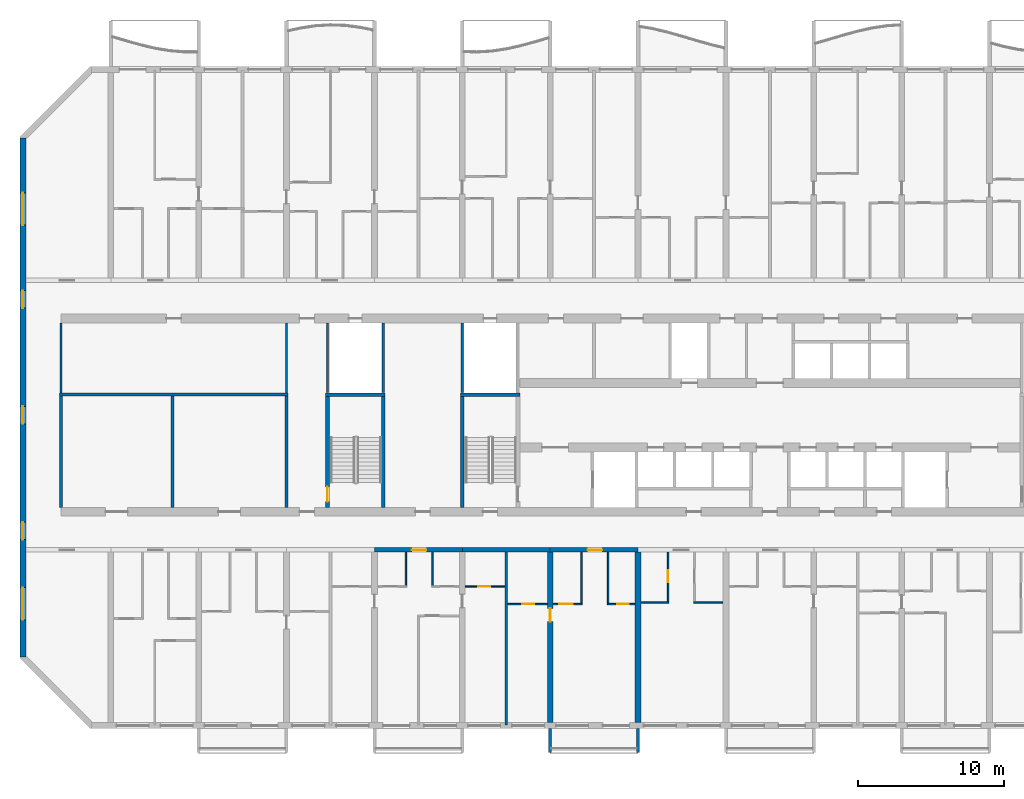
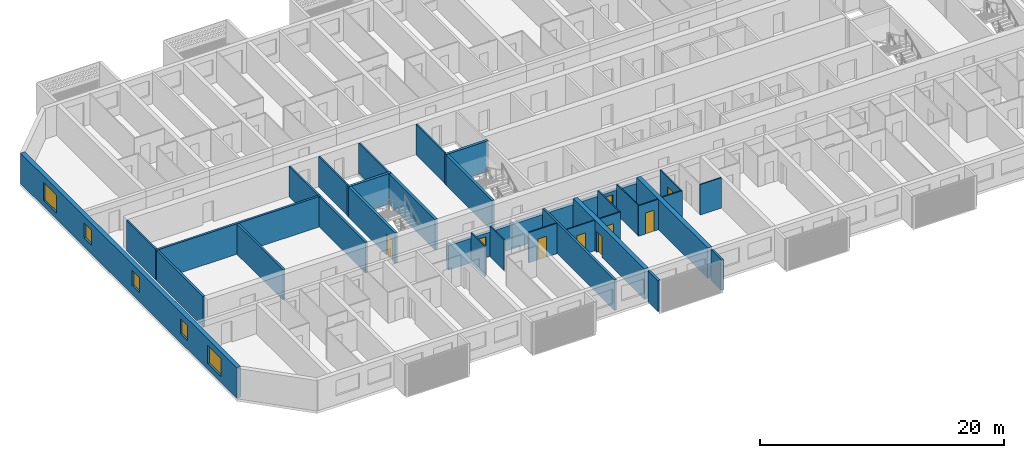
# One storey, part 3 of 38: 34 walls, 9 doors, 5 windows, 14 openings.
"""IFC4 building model written with IfcOpenShell, lengths in metres."""

from ifc_helpers import new_model, si_unit, direction, frame, frame_2d, origin, place, context, subcontext, project, spatial, polyline, rectangle, outline, extrude, source, transform, mapped, material, layer, layer_set, type_object, element, fill, save


model = new_model("IFC4")

# Units and contexts
model_context = context("Model", 3, precision=1e-05, world=origin(), true_north=direction((0.0, 1.0)))
body_context = subcontext(model_context, "Body", "Model", "MODEL_VIEW")
ifc_project = project(units=[si_unit("LENGTHUNIT", "METRE"), si_unit("AREAUNIT", "SQUARE_METRE"), si_unit("VOLUMEUNIT", "CUBIC_METRE"), si_unit("PLANEANGLEUNIT", "RADIAN"), si_unit("MASSUNIT", "GRAM", prefix="KILO")], contexts=[model_context])

# Site, building, storey
site_placement = place(None, origin())
site = spatial("IfcSite", under=ifc_project, at=site_placement, CompositionType="ELEMENT")
building_placement = place(site_placement, origin())
building = spatial("IfcBuilding", under=site, at=building_placement, Name="Poui Terraces", CompositionType="ELEMENT")
storey_placement = place(building_placement, frame((0.0, 0.0, 43.199951171875)))
storey = spatial("IfcBuildingStorey", under=building, at=storey_placement, Name="L11", CompositionType="ELEMENT", Elevation=43.199951171875)

# Walls
ifc_material_1 = material(Name="Fire-rated plasterboard wall")
ifc_layer_1 = layer(ifc_material_1, 0.14990234375)
ifc_layer_set_1 = layer_set([ifc_layer_1], Name="Fire-rated plasterboard wall")
wall_type_1 = type_object("IfcWallType", Name="CORRIDOR WALL 150", PredefinedType="PARTITIONING", material=ifc_layer_set_1)
for number, where, z_axis, x_axis, name in (
    (1, (2.60009765625, 22.699951171875, 0.0), (0.0, 0.0, 1.0), (0.0, 1.0, 0.0), "CORRIDOR WALL 150"),
    (2, (18.0, 22.699951171875, 0.0), (0.0, 0.0, 1.0), (0.0, 1.0, 0.0), "CORRIDOR WALL 150"),
):
    element("IfcWall", number, at=place(storey_placement, frame(where, z_axis=z_axis, x_axis=x_axis)), inside=storey, type_object=wall_type_1, Name=name, PredefinedType="PARTITIONING", context=body_context, shape_type="SweptSolid", body=[
        extrude(rectangle(XDim=4.7900390625, YDim=0.14990234375, at=frame_2d((2.39501953125, 0.0))), origin(), (0.0, 0.0, 1.0), 3.050048828125),
    ])

# Wall, opening, door
ifc_material_2 = material(Name="Concrete 80 MPa", Category="concrete")
ifc_layer_2 = layer(ifc_material_2, 0.300048828125)
ifc_layer_set_2 = layer_set([ifc_layer_2], Name="Concrete 80 MPa")
wall_type_2 = type_object("IfcWallType", Name="CORRIDOR WALL 300 80MPa", PredefinedType="SHEAR", material=ifc_layer_set_2)
wall_1_placement = place(storey_placement, frame((24.0, 12.0, 0.0), z_axis=(0.0, 0.0, 1.0), x_axis=(1.0, 0.0, 0.0)))
wall_1 = element("IfcWall", 3, at=wall_1_placement, inside=storey, type_object=wall_type_2, Name="CORRIDOR WALL LINE B BAY 5", PredefinedType="SHEAR", context=body_context, shape_type="SweptSolid", body=[
    extrude(rectangle(XDim=6.0, YDim=0.300048828125, at=frame_2d((3.0, 0.0))), origin(), (0.0, 0.0, 1.0), 2.449951171875),
])
opening_1_placement = place(wall_1_placement, frame((2.550048828125, 0.0, 0.0)))
opening_1 = element("IfcOpeningElement", 4, at=opening_1_placement, cuts=wall_1, Name="Opening FD30S", PredefinedType="OPENING", context=body_context, shape_type="SweptSolid", body=[
    extrude(rectangle(XDim=1.0, YDim=2.10009765625, at=frame_2d((0.5, 1.050048828125))), frame((0.0, 0.16015625, 0.0), z_axis=(0.0, -1.0, 0.0), x_axis=(1.0, 0.0, 0.0)), (0.0, 0.0, 1.0), 0.320068359375),
])
ifc_material_3 = material(Name="Steel fire door", Category="steel")
door_type_1 = type_object("IfcDoorType", Name="FLAT ENTRANCE DOOR 1000 X 2100", OperationType="NOTDEFINED", PredefinedType="DOOR", material=ifc_material_3)
door_1_placement = place(opening_1_placement, frame((1.0, 0.0, 0.0), z_axis=(0.0, 0.0, 1.0), x_axis=(-1.0, 0.0, 0.0)))
door_1 = element("IfcDoor", 5, at=door_1_placement, inside=storey, type_object=door_type_1, Name="FLAT ENTRANCE DOOR 105", OperationType="SINGLE_SWING_LEFT", OverallHeight=2.10009765625, OverallWidth=1.0, PredefinedType="DOOR", context=body_context, shape_type="SweptSolid", body=[
    extrude(rectangle(XDim=1.0, YDim=2.10009765625, at=frame_2d((0.5, 1.050048828125))), frame((0.0, 0.02490234375, 0.0), z_axis=(0.0, -1.0, 0.0), x_axis=(1.0, 0.0, 0.0)), (0.0, 0.0, 1.0), 0.050048828125),
])
fill(opening_1, door_1)

# Wall
wall_2_placement = place(storey_placement, frame((30.0, 12.0, 0.0), z_axis=(0.0, 0.0, 1.0), x_axis=(1.0, 0.0, 0.0)))
element("IfcWall", 6, at=wall_2_placement, inside=storey, type_object=wall_type_2, Name="CORRIDOR WALL LINE B BAY 6", PredefinedType="SHEAR", context=body_context, shape_type="SweptSolid", body=[
    extrude(rectangle(XDim=6.0, YDim=0.300048828125, at=frame_2d((3.0, 0.0))), origin(), (0.0, 0.0, 1.0), 2.449951171875),
])

# Wall, opening, door
wall_3_placement = place(storey_placement, frame((36.0, 12.0, 0.0), z_axis=(0.0, 0.0, 1.0), x_axis=(1.0, 0.0, 0.0)))
wall_3 = element("IfcWall", 7, at=wall_3_placement, inside=storey, type_object=wall_type_2, Name="CORRIDOR WALL LINE B BAY 7", PredefinedType="SHEAR", context=body_context, shape_type="SweptSolid", body=[
    extrude(rectangle(XDim=6.0, YDim=0.300048828125, at=frame_2d((3.0, 0.0))), origin(), (0.0, 0.0, 1.0), 2.449951171875),
])
opening_2_placement = place(wall_3_placement, frame((2.550048828125, 0.0, 0.0)))
opening_2 = element("IfcOpeningElement", 8, at=opening_2_placement, cuts=wall_3, Name="Opening FD30S", PredefinedType="OPENING", context=body_context, shape_type="SweptSolid", body=[
    extrude(rectangle(XDim=1.0, YDim=2.10009765625, at=frame_2d((0.5, 1.050048828125))), frame((0.0, 0.16015625, 0.0), z_axis=(0.0, -1.0, 0.0), x_axis=(1.0, 0.0, 0.0)), (0.0, 0.0, 1.0), 0.320068359375),
])
door_2_placement = place(opening_2_placement, frame((1.0, 0.0, 0.0), z_axis=(0.0, 0.0, 1.0), x_axis=(-1.0, 0.0, 0.0)))
door_2 = element("IfcDoor", 9, at=door_2_placement, inside=storey, type_object=door_type_1, Name="FLAT ENTRANCE DOOR 112", OperationType="SINGLE_SWING_LEFT", OverallHeight=2.10009765625, OverallWidth=1.0, PredefinedType="DOOR", context=body_context, shape_type="SweptSolid", body=[
    extrude(rectangle(XDim=1.0, YDim=2.10009765625, at=frame_2d((0.5, 1.050048828125))), frame((0.0, 0.02490234375, 0.0), z_axis=(0.0, -1.0, 0.0), x_axis=(1.0, 0.0, 0.0)), (0.0, 0.0, 1.0), 0.050048828125),
])
fill(opening_2, door_2)

ifc_layer_3 = layer(ifc_material_2, 0.39990234375)
ifc_layer_set_3 = layer_set([ifc_layer_3], Name="Concrete 80 MPa")
wall_type_3 = type_object("IfcWallType", Name="CROSS WALL 400 80MPa", PredefinedType="SHEAR", material=ifc_layer_set_3)
wall_4_placement = place(storey_placement, frame((36.0, 0.199951171875, 0.0), z_axis=(0.0, 0.0, 1.0), x_axis=(0.0, 1.0, 0.0)))
wall_4 = element("IfcWall", 10, at=wall_4_placement, inside=storey, type_object=wall_type_3, Name="CROSS WALL LINE 7 SOUTH", PredefinedType="SHEAR", context=body_context, shape_type="SweptSolid", body=[
    extrude(rectangle(XDim=11.650146484375, YDim=0.39990234375, at=frame_2d((5.8251953125, 0.0))), origin(), (0.0, 0.0, 1.0), 3.050048828125),
])
opening_3_placement = place(wall_4_placement, frame((6.89990234375, 0.0, 0.0)))
opening_3 = element("IfcOpeningElement", 11, at=opening_3_placement, cuts=wall_4, Name="Opening D90", PredefinedType="OPENING", context=body_context, shape_type="SweptSolid", body=[
    extrude(rectangle(XDim=0.89990234375, YDim=2.10009765625, at=frame_2d((0.449951171875, 1.050048828125))), frame((0.0, 0.2099609375, 0.0), z_axis=(0.0, -1.0, 0.0), x_axis=(1.0, 0.0, 0.0)), (0.0, 0.0, 1.0), 0.419921875),
])
ifc_material_4 = material(Name="Solid core timber door", Category="wood")
door_type_2 = type_object("IfcDoorType", Name="INTERNAL DOOR 900 X 2100", OperationType="NOTDEFINED", PredefinedType="DOOR", material=ifc_material_4)
door_3_placement = place(opening_3_placement, origin())
door_3 = element("IfcDoor", 12, at=door_3_placement, inside=storey, type_object=door_type_2, Name="INTERNAL DOOR 110", OperationType="SINGLE_SWING_RIGHT", OverallHeight=2.10009765625, OverallWidth=0.89990234375, PredefinedType="DOOR", context=body_context, shape_type="SweptSolid", body=[
    extrude(rectangle(XDim=0.89990234375, YDim=2.10009765625, at=frame_2d((0.449951171875, 1.050048828125))), frame((0.0, 0.02490234375, 0.0), z_axis=(0.0, -1.0, 0.0), x_axis=(1.0, 0.0, 0.0)), (0.0, 0.0, 1.0), 0.050048828125),
])
fill(opening_3, door_3)

# Wall
wall_5_placement = place(storey_placement, frame((42.0, 0.199951171875, 0.0), z_axis=(0.0, 0.0, 1.0), x_axis=(0.0, 1.0, 0.0)))
element("IfcWall", 13, at=wall_5_placement, inside=storey, type_object=wall_type_3, Name="CROSS WALL LINE 8 SOUTH", PredefinedType="SHEAR", context=body_context, shape_type="SweptSolid", body=[
    extrude(rectangle(XDim=11.650146484375, YDim=0.39990234375, at=frame_2d((5.8251953125, 0.0))), origin(), (0.0, 0.0, 1.0), 3.050048828125),
])

# Wall, openings, windows
ifc_layer_4 = layer(ifc_material_2, 0.39990234375)
ifc_layer_set_4 = layer_set([ifc_layer_4], Name="Concrete 80 MPa")
wall_type_4 = type_object("IfcWallType", Name="END WALL 400 80MPa", PredefinedType="SHEAR", material=ifc_layer_set_4)
wall_6_placement = place(storey_placement, frame((0.0, 4.682861328125, 0.0), z_axis=(0.0, 0.0, 1.0), x_axis=(0.0, 1.0, 0.0)))
wall_6 = element("IfcWall", 14, at=wall_6_placement, inside=storey, type_object=wall_type_4, Name="END WALL WEST", PredefinedType="SHEAR", context=body_context, shape_type="SweptSolid", body=[
    extrude(rectangle(XDim=35.434326171875, YDim=0.39990234375, at=frame_2d((17.71728515625, 0.0))), origin(), (0.0, 0.0, 1.0), 3.050048828125),
])
opening_4_placement = place(wall_6_placement, frame((23.817138671875, 0.0, 0.89990234375)))
opening_4 = element("IfcOpeningElement", 15, at=opening_4_placement, cuts=wall_6, Name="Opening W2", PredefinedType="OPENING", context=body_context, shape_type="SweptSolid", body=[
    extrude(rectangle(XDim=1.199951171875, YDim=1.5, at=frame_2d((0.60009765625, 0.75))), frame((0.0, 0.2099609375, 0.0), z_axis=(0.0, -1.0, 0.0), x_axis=(1.0, 0.0, 0.0)), (0.0, 0.0, 1.0), 0.419921875),
])
opening_5_placement = place(wall_6_placement, frame((8.01708984375, 0.0, 0.89990234375)))
opening_5 = element("IfcOpeningElement", 16, at=opening_5_placement, cuts=wall_6, Name="Opening W2", PredefinedType="OPENING", context=body_context, shape_type="SweptSolid", body=[
    extrude(rectangle(XDim=1.199951171875, YDim=1.5, at=frame_2d((0.60009765625, 0.75))), frame((0.0, 0.2099609375, 0.0), z_axis=(0.0, -1.0, 0.0), x_axis=(1.0, 0.0, 0.0)), (0.0, 0.0, 1.0), 0.419921875),
])
opening_6_placement = place(wall_6_placement, frame((15.917236328125, 0.0, 0.89990234375)))
opening_6 = element("IfcOpeningElement", 17, at=opening_6_placement, cuts=wall_6, Name="Opening W2", PredefinedType="OPENING", context=body_context, shape_type="SweptSolid", body=[
    extrude(rectangle(XDim=1.199951171875, YDim=1.5, at=frame_2d((0.60009765625, 0.75))), frame((0.0, 0.2099609375, 0.0), z_axis=(0.0, -1.0, 0.0), x_axis=(1.0, 0.0, 0.0)), (0.0, 0.0, 1.0), 0.419921875),
])
opening_7_placement = place(wall_6_placement, frame((29.493408203125, 0.0, 0.60009765625)))
opening_7 = element("IfcOpeningElement", 18, at=opening_7_placement, cuts=wall_6, Name="Opening W3", PredefinedType="OPENING", context=body_context, shape_type="SweptSolid", body=[
    extrude(rectangle(XDim=2.199951171875, YDim=1.800048828125, at=frame_2d((1.10009765625, 0.89990234375))), frame((0.0, 0.2099609375, 0.0), z_axis=(0.0, -1.0, 0.0), x_axis=(1.0, 0.0, 0.0)), (0.0, 0.0, 1.0), 0.419921875),
])
opening_8_placement = place(wall_6_placement, frame((2.541015625, 0.0, 0.60009765625)))
opening_8 = element("IfcOpeningElement", 19, at=opening_8_placement, cuts=wall_6, Name="Opening W3", PredefinedType="OPENING", context=body_context, shape_type="SweptSolid", body=[
    extrude(rectangle(XDim=2.199951171875, YDim=1.800048828125, at=frame_2d((1.10009765625, 0.89990234375))), frame((0.0, 0.2099609375, 0.0), z_axis=(0.0, -1.0, 0.0), x_axis=(1.0, 0.0, 0.0)), (0.0, 0.0, 1.0), 0.419921875),
])
ifc_material_5 = material(Name="Clear glass in aluminium frame", Category="aluminium")
window_type_1 = type_object("IfcWindowType", Name="WINDOW 1200X1500", PartitioningType="SINGLE_PANEL", PredefinedType="WINDOW", material=ifc_material_5)
window_1_placement = place(opening_4_placement, origin())
window_1 = element("IfcWindow", 20, at=window_1_placement, inside=storey, type_object=window_type_1, Name="W2 WINDOW", OverallHeight=1.5, OverallWidth=1.199951171875, PartitioningType="SINGLE_PANEL", PredefinedType="WINDOW", context=body_context, shape_type="SweptSolid", body=[
    extrude(rectangle(XDim=1.199951171875, YDim=1.5, at=frame_2d((0.60009765625, 0.75))), frame((0.0, 0.030029296875, 0.0), z_axis=(0.0, -1.0, 0.0), x_axis=(1.0, 0.0, 0.0)), (0.0, 0.0, 1.0), 0.06005859375),
])
fill(opening_4, window_1)
window_2_placement = place(opening_5_placement, origin())
window_2 = element("IfcWindow", 21, at=window_2_placement, inside=storey, type_object=window_type_1, Name="W2 WINDOW", OverallHeight=1.5, OverallWidth=1.199951171875, PartitioningType="SINGLE_PANEL", PredefinedType="WINDOW", context=body_context, shape_type="SweptSolid", body=[
    extrude(rectangle(XDim=1.199951171875, YDim=1.5, at=frame_2d((0.60009765625, 0.75))), frame((0.0, 0.030029296875, 0.0), z_axis=(0.0, -1.0, 0.0), x_axis=(1.0, 0.0, 0.0)), (0.0, 0.0, 1.0), 0.06005859375),
])
fill(opening_5, window_2)
window_3_placement = place(opening_6_placement, origin())
window_3 = element("IfcWindow", 22, at=window_3_placement, inside=storey, type_object=window_type_1, Name="W2 WINDOW", OverallHeight=1.5, OverallWidth=1.199951171875, PartitioningType="SINGLE_PANEL", PredefinedType="WINDOW", context=body_context, shape_type="SweptSolid", body=[
    extrude(rectangle(XDim=1.199951171875, YDim=1.5, at=frame_2d((0.60009765625, 0.75))), frame((0.0, 0.030029296875, 0.0), z_axis=(0.0, -1.0, 0.0), x_axis=(1.0, 0.0, 0.0)), (0.0, 0.0, 1.0), 0.06005859375),
])
fill(opening_6, window_3)
window_type_2 = type_object("IfcWindowType", Name="WINDOW 2200X1800", PartitioningType="DOUBLE_PANEL_HORIZONTAL", PredefinedType="WINDOW", material=ifc_material_5)
window_4_placement = place(opening_7_placement, origin())
window_4 = element("IfcWindow", 23, at=window_4_placement, inside=storey, type_object=window_type_2, Name="W3 WINDOW", OverallHeight=1.800048828125, OverallWidth=2.199951171875, PartitioningType="DOUBLE_PANEL_HORIZONTAL", PredefinedType="WINDOW", context=body_context, shape_type="SweptSolid", body=[
    extrude(rectangle(XDim=2.199951171875, YDim=1.800048828125, at=frame_2d((1.10009765625, 0.89990234375))), frame((0.0, 0.030029296875, 0.0), z_axis=(0.0, -1.0, 0.0), x_axis=(1.0, 0.0, 0.0)), (0.0, 0.0, 1.0), 0.06005859375),
])
fill(opening_7, window_4)
window_5_placement = place(opening_8_placement, origin())
window_5 = element("IfcWindow", 24, at=window_5_placement, inside=storey, type_object=window_type_2, Name="W3 WINDOW", OverallHeight=1.800048828125, OverallWidth=2.199951171875, PartitioningType="DOUBLE_PANEL_HORIZONTAL", PredefinedType="WINDOW", context=body_context, shape_type="SweptSolid", body=[
    extrude(rectangle(XDim=2.199951171875, YDim=1.800048828125, at=frame_2d((1.10009765625, 0.89990234375))), frame((0.0, 0.030029296875, 0.0), z_axis=(0.0, -1.0, 0.0), x_axis=(1.0, 0.0, 0.0)), (0.0, 0.0, 1.0), 0.06005859375),
])
fill(opening_8, window_5)

# Wall, opening, door
ifc_material_6 = material(Name="Plasterboard partition")
ifc_layer_5 = layer(ifc_material_6, 0.10009765625)
ifc_layer_set_5 = layer_set([ifc_layer_5], Name="Plasterboard partition")
wall_type_5 = type_object("IfcWallType", Name="FLAT PARTITION 100", PredefinedType="PARTITIONING", material=ifc_layer_set_5)
wall_7_placement = place(storey_placement, frame((33.10009765625, 8.300048828125, 0.0), z_axis=(0.0, 0.0, 1.0), x_axis=(1.0, 0.0, 0.0)))
wall_7 = element("IfcWall", 25, at=wall_7_placement, inside=storey, type_object=wall_type_5, Name="FLAT PARTITION 100", PredefinedType="PARTITIONING", context=body_context, shape_type="SweptSolid", body=[
    extrude(rectangle(XDim=2.68994140625, YDim=0.10009765625, at=frame_2d((1.344970703125, 0.0))), origin(), (0.0, 0.0, 1.0), 3.050048828125),
])
opening_9_placement = place(wall_7_placement, frame((1.0, 0.0, 0.0)))
opening_9 = element("IfcOpeningElement", 26, at=opening_9_placement, cuts=wall_7, Name="Opening D80", PredefinedType="OPENING", context=body_context, shape_type="SweptSolid", body=[
    extrude(rectangle(XDim=0.800048828125, YDim=2.10009765625, at=frame_2d((0.39990234375, 1.050048828125))), frame((0.0, 0.06005859375, 0.0), z_axis=(0.0, -1.0, 0.0), x_axis=(1.0, 0.0, 0.0)), (0.0, 0.0, 1.0), 0.1201171875),
])
door_type_3 = type_object("IfcDoorType", Name="BATHROOM, LAUNDRY AND STORE DOOR 800 X 2100", OperationType="NOTDEFINED", PredefinedType="DOOR", material=ifc_material_4)
door_4_placement = place(opening_9_placement, origin())
door_4 = element("IfcDoor", 27, at=door_4_placement, inside=storey, type_object=door_type_3, Name="BATHROOM, LAUNDRY AND STORE DOOR 109", OperationType="SINGLE_SWING_LEFT", OverallHeight=2.10009765625, OverallWidth=0.800048828125, PredefinedType="DOOR", context=body_context, shape_type="SweptSolid", body=[
    extrude(rectangle(XDim=0.800048828125, YDim=2.10009765625, at=frame_2d((0.39990234375, 1.050048828125))), frame((0.0, 0.02490234375, 0.0), z_axis=(0.0, -1.0, 0.0), x_axis=(1.0, 0.0, 0.0)), (0.0, 0.0, 1.0), 0.050048828125),
])
fill(opening_9, door_4)

wall_8_placement = place(storey_placement, frame((36.2099609375, 8.300048828125, 0.0), z_axis=(0.0, 0.0, 1.0), x_axis=(1.0, 0.0, 0.0)))
wall_8 = element("IfcWall", 28, at=wall_8_placement, inside=storey, type_object=wall_type_5, Name="FLAT PARTITION 100", PredefinedType="PARTITIONING", context=body_context, shape_type="SweptSolid", body=[
    extrude(rectangle(XDim=1.989990234375, YDim=0.10009765625, at=frame_2d((0.9951171875, 0.0))), origin(), (0.0, 0.0, 1.0), 3.050048828125),
])
opening_10_placement = place(wall_8_placement, frame((0.4150390625, 0.0, 0.0)))
opening_10 = element("IfcOpeningElement", 29, at=opening_10_placement, cuts=wall_8, Name="Opening D90", PredefinedType="OPENING", context=body_context, shape_type="SweptSolid", body=[
    extrude(rectangle(XDim=0.89990234375, YDim=2.10009765625, at=frame_2d((0.449951171875, 1.050048828125))), frame((0.0, 0.06005859375, 0.0), z_axis=(0.0, -1.0, 0.0), x_axis=(1.0, 0.0, 0.0)), (0.0, 0.0, 1.0), 0.1201171875),
])
door_5_placement = place(opening_10_placement, origin())
door_5 = element("IfcDoor", 30, at=door_5_placement, inside=storey, type_object=door_type_2, Name="INTERNAL DOOR 111", OperationType="SINGLE_SWING_RIGHT", OverallHeight=2.10009765625, OverallWidth=0.89990234375, PredefinedType="DOOR", context=body_context, shape_type="SweptSolid", body=[
    extrude(rectangle(XDim=0.89990234375, YDim=2.10009765625, at=frame_2d((0.449951171875, 1.050048828125))), frame((0.0, 0.02490234375, 0.0), z_axis=(0.0, -1.0, 0.0), x_axis=(1.0, 0.0, 0.0)), (0.0, 0.0, 1.0), 0.050048828125),
])
fill(opening_10, door_5)

wall_9_placement = place(storey_placement, frame((39.89990234375, 8.300048828125, 0.0), z_axis=(0.0, 0.0, 1.0), x_axis=(1.0, 0.0, 0.0)))
wall_9 = element("IfcWall", 31, at=wall_9_placement, inside=storey, type_object=wall_type_5, Name="FLAT PARTITION 100", PredefinedType="PARTITIONING", context=body_context, shape_type="SweptSolid", body=[
    extrude(rectangle(XDim=1.89013671875, YDim=0.10009765625, at=frame_2d((0.945068359375, 0.0))), origin(), (0.0, 0.0, 1.0), 3.050048828125),
])
opening_11_placement = place(wall_9_placement, frame((0.675048828125, 0.0, 0.0)))
opening_11 = element("IfcOpeningElement", 32, at=opening_11_placement, cuts=wall_9, Name="Opening D80", PredefinedType="OPENING", context=body_context, shape_type="SweptSolid", body=[
    extrude(rectangle(XDim=0.800048828125, YDim=2.10009765625, at=frame_2d((0.39990234375, 1.050048828125))), frame((0.0, 0.06005859375, 0.0), z_axis=(0.0, -1.0, 0.0), x_axis=(1.0, 0.0, 0.0)), (0.0, 0.0, 1.0), 0.1201171875),
])
door_6_placement = place(opening_11_placement, origin())
door_6 = element("IfcDoor", 33, at=door_6_placement, inside=storey, type_object=door_type_3, Name="BATHROOM, LAUNDRY AND STORE DOOR 113", OperationType="SINGLE_SWING_LEFT", OverallHeight=2.10009765625, OverallWidth=0.800048828125, PredefinedType="DOOR", context=body_context, shape_type="SweptSolid", body=[
    extrude(rectangle(XDim=0.800048828125, YDim=2.10009765625, at=frame_2d((0.39990234375, 1.050048828125))), frame((0.0, 0.02490234375, 0.0), z_axis=(0.0, -1.0, 0.0), x_axis=(1.0, 0.0, 0.0)), (0.0, 0.0, 1.0), 0.050048828125),
])
fill(opening_11, door_6)

# Walls
wall_10_placement = place(storey_placement, frame((42.2099609375, 8.39990234375, 0.0), z_axis=(0.0, 0.0, 1.0), x_axis=(1.0, 0.0, 0.0)))
element("IfcWall", 34, at=wall_10_placement, inside=storey, type_object=wall_type_5, Name="FLAT PARTITION 100", PredefinedType="PARTITIONING", context=body_context, shape_type="SweptSolid", body=[
    extrude(rectangle(XDim=1.89013671875, YDim=0.10009765625, at=frame_2d((0.945068359375, 0.0))), origin(), (0.0, 0.0, 1.0), 3.050048828125),
])
wall_11_placement = place(storey_placement, frame((45.800048828125, 8.39990234375, 0.0), z_axis=(0.0, 0.0, 1.0), x_axis=(1.0, 0.0, 0.0)))
element("IfcWall", 35, at=wall_11_placement, inside=storey, type_object=wall_type_5, Name="FLAT PARTITION 100", PredefinedType="PARTITIONING", context=body_context, shape_type="SweptSolid", body=[
    extrude(rectangle(XDim=1.989990234375, YDim=0.10009765625, at=frame_2d((0.9951171875, 0.0))), origin(), (0.0, 0.0, 1.0), 3.050048828125),
])

# Wall, opening, door
wall_12_placement = place(storey_placement, frame((30.2099609375, 9.5, 0.0), z_axis=(0.0, 0.0, 1.0), x_axis=(1.0, 0.0, 0.0)))
wall_12 = element("IfcWall", 36, at=wall_12_placement, inside=storey, type_object=wall_type_5, Name="FLAT PARTITION 100", PredefinedType="PARTITIONING", context=body_context, shape_type="SweptSolid", body=[
    extrude(rectangle(XDim=2.68994140625, YDim=0.10009765625, at=frame_2d((1.344970703125, 0.0))), origin(), (0.0, 0.0, 1.0), 3.050048828125),
])
opening_12_placement = place(wall_12_placement, frame((0.889892578125, 0.0, 0.0)))
opening_12 = element("IfcOpeningElement", 37, at=opening_12_placement, cuts=wall_12, Name="Opening D80", PredefinedType="OPENING", context=body_context, shape_type="SweptSolid", body=[
    extrude(rectangle(XDim=0.800048828125, YDim=2.10009765625, at=frame_2d((0.39990234375, 1.050048828125))), frame((0.0, 0.06005859375, 0.0), z_axis=(0.0, -1.0, 0.0), x_axis=(1.0, 0.0, 0.0)), (0.0, 0.0, 1.0), 0.1201171875),
])
door_7_placement = place(opening_12_placement, origin())
door_7 = element("IfcDoor", 38, at=door_7_placement, inside=storey, type_object=door_type_3, Name="BATHROOM, LAUNDRY AND STORE DOOR 102", OperationType="SINGLE_SWING_RIGHT", OverallHeight=2.10009765625, OverallWidth=0.800048828125, PredefinedType="DOOR", context=body_context, shape_type="SweptSolid", body=[
    extrude(rectangle(XDim=0.800048828125, YDim=2.10009765625, at=frame_2d((0.39990234375, 1.050048828125))), frame((0.0, 0.02490234375, 0.0), z_axis=(0.0, -1.0, 0.0), x_axis=(1.0, 0.0, 0.0)), (0.0, 0.0, 1.0), 0.050048828125),
])
fill(opening_12, door_7)

# Walls
for number, where, z_axis, x_axis, name in (
    (39, (26.14990234375, 9.550048828125, 0.0), (0.0, 0.0, 1.0), (0.0, 1.0, 0.0), "FLAT PARTITION 100"),
    (40, (27.949951171875, 9.550048828125, 0.0), (0.0, 0.0, 1.0), (0.0, 1.0, 0.0), "FLAT PARTITION 100"),
):
    element("IfcWall", number, at=place(storey_placement, frame(where, z_axis=z_axis, x_axis=x_axis)), inside=storey, type_object=wall_type_5, Name=name, PredefinedType="PARTITIONING", context=body_context, shape_type="SweptSolid", body=[
        extrude(rectangle(XDim=2.2900390625, YDim=0.10009765625, at=frame_2d((1.14501953125, 0.0))), origin(), (0.0, 0.0, 1.0), 3.050048828125),
    ])
for number, where, z_axis, x_axis, name in (
    (41, (38.14990234375, 8.35009765625, 0.0), (0.0, 0.0, 1.0), (0.0, 1.0, 0.0), "FLAT PARTITION 100"),
    (42, (39.949951171875, 8.35009765625, 0.0), (0.0, 0.0, 1.0), (0.0, 1.0, 0.0), "FLAT PARTITION 100"),
):
    element("IfcWall", number, at=place(storey_placement, frame(where, z_axis=z_axis, x_axis=x_axis)), inside=storey, type_object=wall_type_5, Name=name, PredefinedType="PARTITIONING", context=body_context, shape_type="SweptSolid", body=[
        extrude(rectangle(XDim=3.489990234375, YDim=0.10009765625, at=frame_2d((1.7451171875, 0.0))), origin(), (0.0, 0.0, 1.0), 3.050048828125),
    ])

# Wall, opening, door
wall_13_placement = place(storey_placement, frame((44.050048828125, 8.449951171875, 0.0), z_axis=(0.0, 0.0, 1.0), x_axis=(0.0, 1.0, 0.0)))
wall_13 = element("IfcWall", 43, at=wall_13_placement, inside=storey, type_object=wall_type_5, Name="FLAT PARTITION 100", PredefinedType="PARTITIONING", context=body_context, shape_type="SweptSolid", body=[
    extrude(rectangle(XDim=3.39013671875, YDim=0.10009765625, at=frame_2d((1.695068359375, 0.0))), origin(), (0.0, 0.0, 1.0), 3.050048828125),
])
opening_13_placement = place(wall_13_placement, frame((1.35009765625, 0.0, 0.0)))
opening_13 = element("IfcOpeningElement", 44, at=opening_13_placement, cuts=wall_13, Name="Opening D80", PredefinedType="OPENING", context=body_context, shape_type="SweptSolid", body=[
    extrude(rectangle(XDim=0.800048828125, YDim=2.10009765625, at=frame_2d((0.39990234375, 1.050048828125))), frame((0.0, 0.06005859375, 0.0), z_axis=(0.0, -1.0, 0.0), x_axis=(1.0, 0.0, 0.0)), (0.0, 0.0, 1.0), 0.1201171875),
])
door_8_placement = place(opening_13_placement, origin())
door_8 = element("IfcDoor", 45, at=door_8_placement, inside=storey, type_object=door_type_3, Name="BATHROOM, LAUNDRY AND STORE DOOR 114", OperationType="SINGLE_SWING_LEFT", OverallHeight=2.10009765625, OverallWidth=0.800048828125, PredefinedType="DOOR", context=body_context, shape_type="SweptSolid", body=[
    extrude(rectangle(XDim=0.800048828125, YDim=2.10009765625, at=frame_2d((0.39990234375, 1.050048828125))), frame((0.0, 0.02490234375, 0.0), z_axis=(0.0, -1.0, 0.0), x_axis=(1.0, 0.0, 0.0)), (0.0, 0.0, 1.0), 0.050048828125),
])
fill(opening_13, door_8)

# Walls
ifc_material_7 = material(Name="Fire-rated masonry wall", Category="masonry")
ifc_layer_6 = layer(ifc_material_7, 0.199951171875)
ifc_layer_set_6 = layer_set([ifc_layer_6], Name="Fire-rated masonry wall")
wall_type_6 = type_object("IfcWallType", Name="FLAT PARTY WALL 200", PredefinedType="PARTITIONING", material=ifc_layer_set_6)
wall_14_placement = place(storey_placement, frame((33.0, 0.06005859375, 0.0), z_axis=(0.0, 0.0, 1.0), x_axis=(0.0, 1.0, 0.0)))
element("IfcWall", 46, at=wall_14_placement, inside=storey, type_object=wall_type_6, Name="FLAT PARTY WALL 200", PredefinedType="PARTITIONING", context=body_context, shape_type="SweptSolid", body=[
    extrude(rectangle(XDim=11.780029296875, YDim=0.199951171875, at=frame_2d((5.89013671875, 0.0))), origin(), (0.0, 0.0, 1.0), 3.050048828125),
])
ifc_layer_7 = layer(ifc_material_7, 0.199951171875)
ifc_layer_set_7 = layer_set([ifc_layer_7], Name="Fire-rated masonry wall")
wall_type_7 = type_object("IfcWallType", Name="PLANT ROOM WALL 200", PredefinedType="PARTITIONING", material=ifc_layer_set_7)
wall_15_placement = place(storey_placement, frame((2.5, 22.60009765625, 0.0), z_axis=(0.0, 0.0, 1.0), x_axis=(1.0, 0.0, 0.0)))
element("IfcWall", 47, at=wall_15_placement, inside=storey, type_object=wall_type_7, Name="PLANT ROOM WALL 200", PredefinedType="PARTITIONING", context=body_context, shape_type="SweptSolid", body=[
    extrude(rectangle(XDim=15.60009765625, YDim=0.199951171875, at=frame_2d((7.800048828125, 0.0))), origin(), (0.0, 0.0, 1.0), 3.050048828125),
])
for number, where, z_axis, x_axis, name in (
    (48, (2.60009765625, 14.909912109375, 0.0), (0.0, 0.0, 1.0), (0.0, 1.0, 0.0), "PLANT ROOM WALL 200"),
    (49, (10.199951171875, 14.909912109375, 0.0), (0.0, 0.0, 1.0), (0.0, 1.0, 0.0), "PLANT ROOM WALL 200"),
    (50, (18.0, 14.909912109375, 0.0), (0.0, 0.0, 1.0), (0.0, 1.0, 0.0), "PLANT ROOM WALL 200"),
):
    element("IfcWall", number, at=place(storey_placement, frame(where, z_axis=z_axis, x_axis=x_axis)), inside=storey, type_object=wall_type_7, Name=name, PredefinedType="PARTITIONING", context=body_context, shape_type="SweptSolid", body=[
        extrude(rectangle(XDim=7.590087890625, YDim=0.199951171875, at=frame_2d((3.794921875, 0.0))), origin(), (0.0, 0.0, 1.0), 3.050048828125),
    ])
ifc_material_8 = material(Name="Fire-rated plasterboard riser wall")
ifc_layer_8 = layer(ifc_material_8, 0.14990234375)
ifc_layer_set_8 = layer_set([ifc_layer_8], Name="Fire-rated plasterboard riser wall")
wall_type_8 = type_object("IfcWallType", Name="RISER WALL 150", PredefinedType="PARTITIONING", material=ifc_layer_set_8)
for number, where, z_axis, x_axis, name in (
    (51, (20.800048828125, 22.735107421875, 0.0), (0.0, 0.0, 1.0), (0.0, 1.0, 0.0), "RISER WALL 150"),
    (52, (24.60009765625, 22.735107421875, 0.0), (0.0, 0.0, 1.0), (0.0, 1.0, 0.0), "RISER WALL 150"),
    (53, (30.0, 22.735107421875, 0.0), (0.0, 0.0, 1.0), (0.0, 1.0, 0.0), "RISER WALL 150"),
):
    element("IfcWall", number, at=place(storey_placement, frame(where, z_axis=z_axis, x_axis=x_axis)), inside=storey, type_object=wall_type_8, Name=name, PredefinedType="PARTITIONING", context=body_context, shape_type="SweptSolid", body=[
        extrude(rectangle(XDim=4.7548828125, YDim=0.14990234375, at=frame_2d((2.37744140625, 0.0))), origin(), (0.0, 0.0, 1.0), 3.050048828125),
    ])
ifc_layer_9 = layer(ifc_material_2, 0.25)
ifc_layer_set_9 = layer_set([ifc_layer_9], Name="Concrete 80 MPa")
wall_type_9 = type_object("IfcWallType", Name="STAIR CORE WALL 250 80 MPA", PredefinedType="SOLIDWALL", material=ifc_layer_set_9)
wall_16_placement = place(storey_placement, frame((30.0, 14.89990234375, 0.0), z_axis=(0.0, 0.0, 1.0), x_axis=(0.0, 1.0, 0.0)))
element("IfcWall", 54, at=wall_16_placement, inside=storey, type_object=wall_type_9, Name="STAIR CORE WALL", PredefinedType="SOLIDWALL", context=body_context, shape_type="SweptSolid", body=[
    extrude(rectangle(XDim=7.5751953125, YDim=0.25, at=frame_2d((3.78759765625, 0.0))), origin(), (0.0, 0.0, 1.0), 3.050048828125),
])
wall_17_placement = place(storey_placement, frame((29.875, 22.60009765625, 0.0), z_axis=(0.0, 0.0, 1.0), x_axis=(1.0, 0.0, 0.0)))
element("IfcWall", 55, at=wall_17_placement, inside=storey, type_object=wall_type_9, Name="STAIR CORE WALL", PredefinedType="SOLIDWALL", context=body_context, shape_type="SweptSolid", body=[
    extrude(rectangle(XDim=4.050048828125, YDim=0.25, at=frame_2d((2.02490234375, 0.0))), origin(), (0.0, 0.0, 1.0), 3.050048828125),
])

# Wall, opening, door
wall_18_placement = place(storey_placement, frame((20.800048828125, 14.89990234375, 0.0), z_axis=(0.0, 0.0, 1.0), x_axis=(0.0, 1.0, 0.0)))
wall_18 = element("IfcWall", 56, at=wall_18_placement, inside=storey, type_object=wall_type_9, Name="STAIR CORE WALL", PredefinedType="SOLIDWALL", context=body_context, shape_type="SweptSolid", body=[
    extrude(rectangle(XDim=7.5751953125, YDim=0.25, at=frame_2d((3.78759765625, 0.0))), origin(), (0.0, 0.0, 1.0), 3.050048828125),
])
opening_14_placement = place(wall_18_placement, frame((0.39990234375, 0.0, 0.0)))
opening_14 = element("IfcOpeningElement", 57, at=opening_14_placement, cuts=wall_18, Name="Opening FD60S", PredefinedType="OPENING", context=body_context, shape_type="SweptSolid", body=[
    extrude(rectangle(XDim=1.0, YDim=2.10009765625, at=frame_2d((0.5, 1.050048828125))), frame((0.0, 0.135009765625, 0.0), z_axis=(0.0, -1.0, 0.0), x_axis=(1.0, 0.0, 0.0)), (0.0, 0.0, 1.0), 0.27001953125),
])
door_type_4 = type_object("IfcDoorType", Name="STAIR DOOR 1000 X 2100", OperationType="NOTDEFINED", PredefinedType="DOOR", material=ifc_material_3)
door_9_placement = place(opening_14_placement, frame((1.0, 0.0, 0.0), z_axis=(0.0, 0.0, 1.0), x_axis=(-1.0, 0.0, 0.0)))
door_9 = element("IfcDoor", 58, at=door_9_placement, inside=storey, type_object=door_type_4, Name="STAIR DOOR 164", OperationType="SINGLE_SWING_RIGHT", OverallHeight=2.10009765625, OverallWidth=1.0, PredefinedType="DOOR", context=body_context, shape_type="SweptSolid", body=[
    extrude(rectangle(XDim=1.0, YDim=2.10009765625, at=frame_2d((0.5, 1.050048828125))), frame((0.0, 0.02490234375, 0.0), z_axis=(0.0, -1.0, 0.0), x_axis=(1.0, 0.0, 0.0)), (0.0, 0.0, 1.0), 0.050048828125),
])
fill(opening_14, door_9)

# Walls
wall_19_placement = place(storey_placement, frame((24.60009765625, 14.89990234375, 0.0), z_axis=(0.0, 0.0, 1.0), x_axis=(0.0, 1.0, 0.0)))
element("IfcWall", 59, at=wall_19_placement, inside=storey, type_object=wall_type_9, Name="STAIR CORE WALL", PredefinedType="SOLIDWALL", context=body_context, shape_type="SweptSolid", body=[
    extrude(rectangle(XDim=7.5751953125, YDim=0.25, at=frame_2d((3.78759765625, 0.0))), origin(), (0.0, 0.0, 1.0), 3.050048828125),
])
wall_20_placement = place(storey_placement, frame((20.675048828125, 22.60009765625, 0.0), z_axis=(0.0, 0.0, 1.0), x_axis=(1.0, 0.0, 0.0)))
element("IfcWall", 60, at=wall_20_placement, inside=storey, type_object=wall_type_9, Name="STAIR CORE WALL", PredefinedType="SOLIDWALL", context=body_context, shape_type="SweptSolid", body=[
    extrude(rectangle(XDim=4.050048828125, YDim=0.25, at=frame_2d((2.02490234375, 0.0))), origin(), (0.0, 0.0, 1.0), 3.050048828125),
])
ifc_material_9 = material(Name="Precast concrete 40 MPa", Category="concrete")
ifc_layer_10 = layer(ifc_material_9, 0.199951171875)
ifc_layer_set_10 = layer_set([ifc_layer_10], Name="Precast concrete 40 MPa")
wall_type_10 = type_object("IfcWallType", Name="REAR FIN 200", PredefinedType="STANDARD", material=ifc_layer_set_10)
shared_shape = source(origin(), body_context, "Body", "SweptSolid", [
    extrude(outline(polyline([(0.0, 0.0), (0.2001953125, 0.0), (0.2001953125, 1.650146484375), (0.0, 1.650146484375), (0.0, 0.0)])), origin(), (0.0, 0.0, 1.0), 3.10009765625),
])
for number, where, name in (
    (61, (35.89990234375, -1.85009765625, 0.0), "REAR FIN"),
    (62, (41.89990234375, -1.85009765625, 0.0), "REAR FIN"),
):
    element("IfcWall", number, at=place(storey_placement, frame(where)), inside=storey, type_object=wall_type_10, Name=name, PredefinedType="STANDARD", context=body_context, shape_type="MappedRepresentation", body=[
        mapped(shared_shape, transform((0.0, 0.0, 0.0))),
    ])

save(model, "model.ifc")
